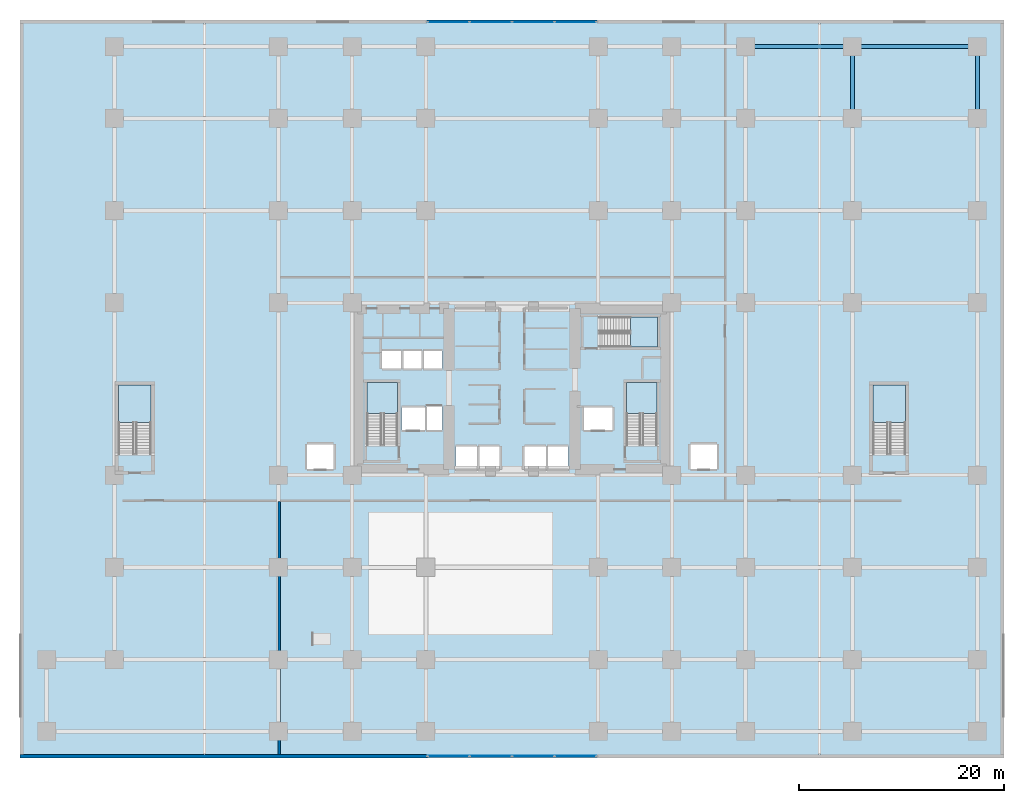
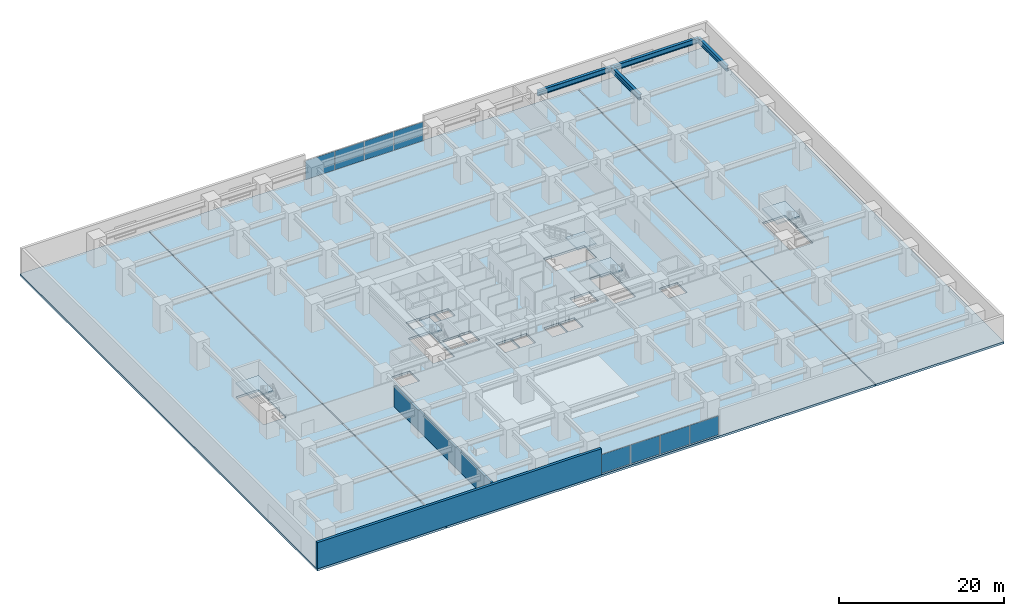
# One storey, part 9 of 22: 8 plates, 8 slabs, 4 beams, 2 walls, 7 elements without a shape of their own.
"""IFC4 building model written with IfcOpenShell, lengths in metres."""

from ifc_helpers import new_model, si_unit, direction, frame, frame_2d, origin, origin_2d, place, context, subcontext, project, spatial, polyline, rectangle, i_section, outline, extrude, material, layer, layer_set, material_profile, profile_set, type_object, element, aggregate, save


model = new_model("IFC4")

# Units and contexts
model_context = context("Model", 3, precision=1e-05, world=origin(), true_north=direction((0.0, 1.0)))
body_context = subcontext(model_context, "Body", "Model", "MODEL_VIEW")
ifc_project = project(units=[si_unit("LENGTHUNIT", "METRE"), si_unit("AREAUNIT", "SQUARE_METRE"), si_unit("VOLUMEUNIT", "CUBIC_METRE"), si_unit("PLANEANGLEUNIT", "RADIAN"), si_unit("MASSUNIT", "GRAM", prefix="KILO")], contexts=[model_context])

# Site, building, storey
site_placement = place(None, origin())
site = spatial("IfcSite", under=ifc_project, at=site_placement, CompositionType="ELEMENT")
building_placement = place(site_placement, origin())
building = spatial("IfcBuilding", under=site, at=building_placement, Name="Kiyonajd Concourse Tower", CompositionType="ELEMENT")
storey_placement = place(building_placement, frame((0.0, 0.0, 4.5)))
storey = spatial("IfcBuildingStorey", under=building, at=storey_placement, Name="L02", CompositionType="ELEMENT", Elevation=4.5)

# Beams
ifc_material_1 = material(Name="Steel ASTM A992 Grade 50", Category="steel")
ifc_material_profile = material_profile(ifc_material_1, i_section(OverallWidth=0.381103515625, OverallDepth=0.77294921875, WebThickness=0.0166015625, FlangeThickness=0.027099609375, at=origin_2d()), Name="W760X257")
ifc_profile_set = profile_set([ifc_material_profile], Name="Steel ASTM A992 Grade 50")
beam_type = type_object("IfcBeamType", Name="BM-POD-760", PredefinedType="BEAM", material=ifc_profile_set)
beam_1_placement = place(storey_placement, frame((70.800048828125, 69.39990234375, 3.493408203125), z_axis=(1.0, 0.0, 0.0), x_axis=(0.0, 1.0, 0.0)))
element("IfcBeam", 1, at=beam_1_placement, inside=storey, type_object=beam_type, Name="L02 Podium Primary Beam", PredefinedType="BEAM", context=body_context, shape_type="SweptSolid", body=[
    extrude(i_section(OverallWidth=0.381103515625, OverallDepth=0.77294921875, WebThickness=0.0166015625, FlangeThickness=0.027099609375, at=origin_2d()), origin(), (0.0, 0.0, 1.0), 10.39990234375),
])
beam_2_placement = place(storey_placement, frame((81.199951171875, 69.39990234375, 3.493408203125), z_axis=(1.0, 0.0, 0.0), x_axis=(0.0, 1.0, 0.0)))
element("IfcBeam", 2, at=beam_2_placement, inside=storey, type_object=beam_type, Name="L02 Podium Primary Beam", PredefinedType="BEAM", context=body_context, shape_type="SweptSolid", body=[
    extrude(i_section(OverallWidth=0.381103515625, OverallDepth=0.77294921875, WebThickness=0.0166015625, FlangeThickness=0.027099609375, at=origin_2d()), origin(), (0.0, 0.0, 1.0), 12.199951171875),
])
for number, where, z_axis, x_axis, name in (
    (3, (81.199951171875, 62.39990234375, 3.493408203125), (0.0, 1.0, 0.0), (-1.0, 0.0, 0.0), "L02 Podium North South Beam"),
    (4, (93.39990234375, 62.39990234375, 3.493408203125), (0.0, 1.0, 0.0), (-1.0, 0.0, 0.0), "L02 Podium North South Beam"),
):
    element("IfcBeam", number, at=place(storey_placement, frame(where, z_axis=z_axis, x_axis=x_axis)), inside=storey, type_object=beam_type, Name=name, PredefinedType="BEAM", context=body_context, shape_type="SweptSolid", body=[
        extrude(i_section(OverallWidth=0.381103515625, OverallDepth=0.77294921875, WebThickness=0.0166015625, FlangeThickness=0.027099609375, at=origin_2d()), origin(), (0.0, 0.0, 1.0), 7.0),
    ])

# Curtain wall, plates
ifc_material_2 = material(Name="Thermally Broken Anodised Aluminium", Category="aluminium")
ifc_layer_1 = layer(ifc_material_2, 0.179931640625)
ifc_layer_set_1 = layer_set([ifc_layer_1], Name="Thermally Broken Anodised Aluminium")
curtain_wall_type = type_object("IfcCurtainWallType", Name="CW-SYS-01", PredefinedType="NOTDEFINED", material=ifc_layer_set_1)
curtain_wall_1_placement = place(storey_placement, origin())
curtain_wall_1 = element("IfcCurtainWall", 5, at=curtain_wall_1_placement, inside=storey, type_object=curtain_wall_type, Name="L02 Unitised Curtain Wall CW1", PredefinedType="NOTDEFINED")
ifc_material_3 = material(Name="Double Low-E Insulated Glass", Category="glass")
ifc_layer_2 = layer(ifc_material_3, 0.0400390625)
ifc_layer_set_2 = layer_set([ifc_layer_2], Name="Double Low-E Insulated Glass")
plate_type = type_object("IfcPlateType", Name="PL-CW-VIS40", PredefinedType="CURTAIN_PANEL", material=ifc_layer_set_2)
plate_1_placement = place(storey_placement, frame((41.808837890625, 71.820068359375, 0.0751953125), z_axis=(0.0, 0.0, 1.0), x_axis=(1.0, 0.0, 0.0)))
plate_1 = element("IfcPlate", 6, at=plate_1_placement, type_object=plate_type, Name="CW1 panel 1.1", PredefinedType="CURTAIN_PANEL", context=body_context, shape_type="SweptSolid", body=[
    extrude(rectangle(XDim=4.027587890625, YDim=0.0400390625, at=origin_2d()), origin(), (0.0, 0.0, 1.0), 2.780029296875),
])
plate_2_placement = place(storey_placement, frame((45.929931640625, 71.820068359375, 0.0751953125), z_axis=(0.0, 0.0, 1.0), x_axis=(1.0, 0.0, 0.0)))
plate_2 = element("IfcPlate", 7, at=plate_2_placement, type_object=plate_type, Name="CW1 panel 2.1", PredefinedType="CURTAIN_PANEL", context=body_context, shape_type="SweptSolid", body=[
    extrude(rectangle(XDim=4.06494140625, YDim=0.0400390625, at=origin_2d()), origin(), (0.0, 0.0, 1.0), 2.780029296875),
])
plate_3_placement = place(storey_placement, frame((50.070068359375, 71.820068359375, 0.0751953125), z_axis=(0.0, 0.0, 1.0), x_axis=(1.0, 0.0, 0.0)))
plate_3 = element("IfcPlate", 8, at=plate_3_placement, type_object=plate_type, Name="CW1 panel 3.1", PredefinedType="CURTAIN_PANEL", context=body_context, shape_type="SweptSolid", body=[
    extrude(rectangle(XDim=4.06494140625, YDim=0.0400390625, at=origin_2d()), origin(), (0.0, 0.0, 1.0), 2.780029296875),
])
plate_4_placement = place(storey_placement, frame((54.191162109375, 71.820068359375, 0.0751953125), z_axis=(0.0, 0.0, 1.0), x_axis=(1.0, 0.0, 0.0)))
plate_4 = element("IfcPlate", 9, at=plate_4_placement, type_object=plate_type, Name="CW1 panel 4.1", PredefinedType="CURTAIN_PANEL", context=body_context, shape_type="SweptSolid", body=[
    extrude(rectangle(XDim=4.027587890625, YDim=0.0400390625, at=origin_2d()), origin(), (0.0, 0.0, 1.0), 2.780029296875),
])
aggregate(curtain_wall_1, [plate_1, plate_2, plate_3, plate_4])

curtain_wall_2_placement = place(storey_placement, origin())
curtain_wall_2 = element("IfcCurtainWall", 10, at=curtain_wall_2_placement, inside=storey, type_object=curtain_wall_type, Name="L02 Unitised Curtain Wall CW1", PredefinedType="NOTDEFINED")
plate_5_placement = place(storey_placement, frame((54.191162109375, 0.179931640625, 0.0751953125), z_axis=(0.0, 0.0, 1.0), x_axis=(-1.0, 0.0, 0.0)))
plate_5 = element("IfcPlate", 11, at=plate_5_placement, type_object=plate_type, Name="CW1 panel 1.1", PredefinedType="CURTAIN_PANEL", context=body_context, shape_type="SweptSolid", body=[
    extrude(rectangle(XDim=4.027587890625, YDim=0.0400390625, at=origin_2d()), origin(), (0.0, 0.0, 1.0), 2.780029296875),
])
plate_6_placement = place(storey_placement, frame((50.070068359375, 0.179931640625, 0.0751953125), z_axis=(0.0, 0.0, 1.0), x_axis=(-1.0, 0.0, 0.0)))
plate_6 = element("IfcPlate", 12, at=plate_6_placement, type_object=plate_type, Name="CW1 panel 2.1", PredefinedType="CURTAIN_PANEL", context=body_context, shape_type="SweptSolid", body=[
    extrude(rectangle(XDim=4.06494140625, YDim=0.0400390625, at=origin_2d()), origin(), (0.0, 0.0, 1.0), 2.780029296875),
])
plate_7_placement = place(storey_placement, frame((45.929931640625, 0.179931640625, 0.0751953125), z_axis=(0.0, 0.0, 1.0), x_axis=(-1.0, 0.0, 0.0)))
plate_7 = element("IfcPlate", 13, at=plate_7_placement, type_object=plate_type, Name="CW1 panel 3.1", PredefinedType="CURTAIN_PANEL", context=body_context, shape_type="SweptSolid", body=[
    extrude(rectangle(XDim=4.06494140625, YDim=0.0400390625, at=origin_2d()), origin(), (0.0, 0.0, 1.0), 2.780029296875),
])
plate_8_placement = place(storey_placement, frame((41.808837890625, 0.179931640625, 0.0751953125), z_axis=(0.0, 0.0, 1.0), x_axis=(-1.0, 0.0, 0.0)))
plate_8 = element("IfcPlate", 14, at=plate_8_placement, type_object=plate_type, Name="CW1 panel 4.1", PredefinedType="CURTAIN_PANEL", context=body_context, shape_type="SweptSolid", body=[
    extrude(rectangle(XDim=4.027587890625, YDim=0.0400390625, at=origin_2d()), origin(), (0.0, 0.0, 1.0), 2.780029296875),
])
aggregate(curtain_wall_2, [plate_5, plate_6, plate_7, plate_8])

# Stair, slab
ifc_material_4 = material(Name="Concrete C40/50", Category="concrete")
stair_type_1 = type_object("IfcStairType", Name="ST-DLG-24R", PredefinedType="HALF_TURN_STAIR", material=ifc_material_4)
stair_1_placement = place(storey_placement, origin())
stair_1 = element("IfcStair", 15, at=stair_1_placement, inside=storey, type_object=stair_type_1, Name="L02 Protected Exit Stair ST1", PredefinedType="HALF_TURN_STAIR")
ifc_layer_3 = layer(ifc_material_4, 0.199951171875)
ifc_layer_set_3 = layer_set([ifc_layer_3], Name="Concrete C40/50")
slab_type_1 = type_object("IfcSlabType", Name="SL-LND-200", PredefinedType="LANDING", material=ifc_layer_set_3)
slab_1_placement = place(storey_placement, frame((0.0, 0.0, 1.89990234375)))
slab_1 = element("IfcSlab", 16, at=slab_1_placement, type_object=slab_type_1, Name="ST1 landing 1", PredefinedType="LANDING", context=body_context, shape_type="SweptSolid", body=[
    extrude(outline(polyline([(36.85009765625, 33.6298828125), (36.85009765625, 36.64990234375), (33.85009765625, 36.64990234375), (33.85009765625, 33.6298828125), (36.85009765625, 33.6298828125)])), origin(), (0.0, 0.0, 1.0), 0.2001953125),
])
aggregate(stair_1, [slab_1])

stair_2_placement = place(storey_placement, origin())
stair_2 = element("IfcStair", 17, at=stair_2_placement, inside=storey, type_object=stair_type_1, Name="L02 Protected Exit Stair ST2", PredefinedType="HALF_TURN_STAIR")
slab_2_placement = place(storey_placement, frame((0.0, 0.0, 1.89990234375)))
slab_2 = element("IfcSlab", 18, at=slab_2_placement, type_object=slab_type_1, Name="ST2 landing 1", PredefinedType="LANDING", context=body_context, shape_type="SweptSolid", body=[
    extrude(outline(polyline([(62.14990234375, 33.6298828125), (62.14990234375, 36.64990234375), (59.14990234375, 36.64990234375), (59.14990234375, 33.6298828125), (62.14990234375, 33.6298828125)])), origin(), (0.0, 0.0, 1.0), 0.2001953125),
])
aggregate(stair_2, [slab_2])

stair_3_placement = place(storey_placement, origin())
stair_3 = element("IfcStair", 19, at=stair_3_placement, inside=storey, type_object=stair_type_1, Name="L02 Protected Exit Stair ST3", PredefinedType="HALF_TURN_STAIR")
slab_3_placement = place(storey_placement, frame((0.0, 0.0, 1.89990234375)))
slab_3 = element("IfcSlab", 20, at=slab_3_placement, type_object=slab_type_1, Name="ST3 landing 1", PredefinedType="LANDING", context=body_context, shape_type="SweptSolid", body=[
    extrude(outline(polyline([(59.56005859375, 40.080078125), (62.179931640625, 40.080078125), (62.179931640625, 43.02001953125), (59.56005859375, 43.02001953125), (59.56005859375, 40.080078125)])), origin(), (0.0, 0.0, 1.0), 0.2001953125),
])
aggregate(stair_3, [slab_3])

stair_type_2 = type_object("IfcStairType", Name="ST-POD-1500", PredefinedType="HALF_TURN_STAIR", material=ifc_material_4)
stair_4_placement = place(storey_placement, origin())
stair_4 = element("IfcStair", 21, at=stair_4_placement, inside=storey, type_object=stair_type_2, Name="L02 West Podium Exit Stair ST4", PredefinedType="HALF_TURN_STAIR")
slab_4_placement = place(storey_placement, frame((0.0, 0.0, 1.89990234375)))
slab_4 = element("IfcSlab", 22, at=slab_4_placement, type_object=slab_type_1, Name="ST4 landing 1", PredefinedType="LANDING", context=body_context, shape_type="SweptSolid", body=[
    extrude(outline(polyline([(12.800048828125, 32.72998046875), (12.800048828125, 36.39990234375), (9.60009765625, 36.39990234375), (9.60009765625, 32.72998046875), (12.800048828125, 32.72998046875)])), origin(), (0.0, 0.0, 1.0), 0.2001953125),
])
aggregate(stair_4, [slab_4])

stair_5_placement = place(storey_placement, origin())
stair_5 = element("IfcStair", 23, at=stair_5_placement, inside=storey, type_object=stair_type_2, Name="L02 East Podium Exit Stair ST5", PredefinedType="HALF_TURN_STAIR")
slab_5_placement = place(storey_placement, frame((0.0, 0.0, 1.89990234375)))
slab_5 = element("IfcSlab", 24, at=slab_5_placement, type_object=slab_type_1, Name="ST5 landing 1", PredefinedType="LANDING", context=body_context, shape_type="SweptSolid", body=[
    extrude(outline(polyline([(86.39990234375, 32.72998046875), (86.39990234375, 36.39990234375), (83.199951171875, 36.39990234375), (83.199951171875, 32.72998046875), (86.39990234375, 32.72998046875)])), origin(), (0.0, 0.0, 1.0), 0.2001953125),
])
aggregate(stair_5, [slab_5])

# Slabs
ifc_layer_4 = layer(ifc_material_4, 0.320068359375)
ifc_layer_set_4 = layer_set([ifc_layer_4], Name="Concrete C40/50")
slab_type_2 = type_object("IfcSlabType", Name="SL-POD-320", PredefinedType="FLOOR", material=ifc_layer_set_4)
slab_6_placement = place(storey_placement, frame((0.0, 0.0, -0.320068359375)))
element("IfcSlab", 25, at=slab_6_placement, inside=storey, type_object=slab_type_2, Name="L02 West Wing Podium Structural Floor Slab", PredefinedType="FLOOR", context=body_context, shape_type="SweptSolid", body=[
    extrude(outline(polyline([(0.0, 0.0), (17.93994140625, 0.0), (17.93994140625, 72.0), (0.0, 72.0), (0.0, 0.0)]), holes=[polyline([(9.60009765625, 29.64990234375), (9.60009765625, 36.39990234375), (12.800048828125, 36.39990234375), (12.800048828125, 29.64990234375), (9.60009765625, 29.64990234375)])]), origin(), (0.0, 0.0, 1.0), 0.320068359375),
])
slab_7_placement = place(storey_placement, frame((0.0, 0.0, -0.320068359375)))
element("IfcSlab", 26, at=slab_7_placement, inside=storey, type_object=slab_type_2, Name="L02 Central Tower Zone Podium Structural Floor Slab", PredefinedType="FLOOR", context=body_context, shape_type="SweptSolid", body=[
    extrude(outline(polyline([(18.06005859375, 0.0), (77.93994140625, 0.0), (77.93994140625, 72.0), (18.06005859375, 72.0), (18.06005859375, 0.0)]), holes=[polyline([(42.5, 28.199951171875), (42.5, 30.39990234375), (44.60009765625, 30.39990234375), (44.60009765625, 28.199951171875), (42.5, 28.199951171875)]), polyline([(28.0, 28.199951171875), (28.0, 30.60009765625), (30.60009765625, 30.60009765625), (30.60009765625, 28.199951171875), (28.0, 28.199951171875)]), polyline([(37.199951171875, 32.0), (37.199951171875, 34.199951171875), (39.5, 34.199951171875), (39.5, 32.0), (37.199951171875, 32.0)]), polyline([(39.60009765625, 32.0), (39.60009765625, 34.300048828125), (41.199951171875, 34.300048828125), (41.199951171875, 32.0), (39.60009765625, 32.0)]), polyline([(33.85009765625, 30.550048828125), (33.85009765625, 36.64990234375), (36.85009765625, 36.64990234375), (36.85009765625, 30.550048828125), (33.85009765625, 30.550048828125)]), polyline([(35.300048828125, 38.0), (35.300048828125, 39.699951171875), (37.199951171875, 39.699951171875), (37.199951171875, 38.0), (35.300048828125, 38.0)]), polyline([(37.300048828125, 38.0), (37.300048828125, 39.699951171875), (39.199951171875, 39.699951171875), (39.199951171875, 38.0), (37.300048828125, 38.0)]), polyline([(39.300048828125, 38.0), (39.300048828125, 39.699951171875), (41.199951171875, 39.699951171875), (41.199951171875, 38.0), (39.300048828125, 38.0)]), polyline([(44.699951171875, 28.199951171875), (44.699951171875, 30.39990234375), (46.800048828125, 30.39990234375), (46.800048828125, 28.199951171875), (44.699951171875, 28.199951171875)]), polyline([(49.199951171875, 28.199951171875), (49.199951171875, 30.39990234375), (51.300048828125, 30.39990234375), (51.300048828125, 28.199951171875), (49.199951171875, 28.199951171875)]), polyline([(51.39990234375, 28.199951171875), (51.39990234375, 30.39990234375), (53.5, 30.39990234375), (53.5, 28.199951171875), (51.39990234375, 28.199951171875)]), polyline([(65.39990234375, 28.199951171875), (65.39990234375, 30.60009765625), (68.0, 30.60009765625), (68.0, 28.199951171875), (65.39990234375, 28.199951171875)]), polyline([(55.0, 32.0), (55.0, 34.199951171875), (57.800048828125, 34.199951171875), (57.800048828125, 32.0), (55.0, 32.0)]), polyline([(59.14990234375, 36.64990234375), (62.14990234375, 36.64990234375), (62.14990234375, 30.550048828125), (59.14990234375, 30.550048828125), (59.14990234375, 36.64990234375)]), polyline([(62.179931640625, 43.02001953125), (62.179931640625, 40.080078125), (56.47998046875, 40.080078125), (56.47998046875, 43.02001953125), (62.179931640625, 43.02001953125)])]), origin(), (0.0, 0.0, 1.0), 0.320068359375),
])
slab_8_placement = place(storey_placement, frame((0.0, 0.0, -0.320068359375)))
element("IfcSlab", 27, at=slab_8_placement, inside=storey, type_object=slab_type_2, Name="L02 East Wing Podium Structural Floor Slab", PredefinedType="FLOOR", context=body_context, shape_type="SweptSolid", body=[
    extrude(outline(polyline([(78.06005859375, 0.0), (96.0, 0.0), (96.0, 72.0), (78.06005859375, 72.0), (78.06005859375, 0.0)]), holes=[polyline([(83.199951171875, 29.64990234375), (83.199951171875, 36.39990234375), (86.39990234375, 36.39990234375), (86.39990234375, 29.64990234375), (83.199951171875, 29.64990234375)])]), origin(), (0.0, 0.0, 1.0), 0.320068359375),
])

# Walls
ifc_material_5 = material(Name="Precast concrete C50/60", Category="concrete")
ifc_layer_5 = layer(ifc_material_5, 0.360107421875)
ifc_layer_set_5 = layer_set([ifc_layer_5], Name="Precast concrete C50/60")
wall_type_1 = type_object("IfcWallType", Name="WL-EXT-360", PredefinedType="SOLIDWALL", material=ifc_layer_set_5)
wall_1_placement = place(storey_placement, frame((39.719970703125, 0.179931640625, 0.0), z_axis=(0.0, 0.0, 1.0), x_axis=(-1.0, 0.0, 0.0)))
element("IfcWall", 28, at=wall_1_placement, inside=storey, type_object=wall_type_1, Name="L02 South West Podium Facade Wall", PredefinedType="SOLIDWALL", context=body_context, shape_type="SweptSolid", body=[
    extrude(rectangle(XDim=39.719970703125, YDim=0.360107421875, at=frame_2d((19.85986328125, 0.0))), origin(), (0.0, 0.0, 1.0), 3.8798828125),
])
ifc_material_6 = material(Name="Gypsum Board on Cold-Formed Steel Stud", Category="steel")
ifc_layer_6 = layer(ifc_material_6, 0.22998046875)
ifc_layer_set_6 = layer_set([ifc_layer_6], Name="Gypsum Board on Cold-Formed Steel Stud")
wall_type_2 = type_object("IfcWallType", Name="WL-FIRE-230", PredefinedType="PARTITIONING", material=ifc_layer_set_6)
wall_2_placement = place(storey_placement, frame((25.300048828125, 0.35498046875, 0.0), z_axis=(0.0, 0.0, 1.0), x_axis=(0.0, 1.0, 0.0)))
element("IfcWall", 29, at=wall_2_placement, inside=storey, type_object=wall_type_2, Name="L02 Interior Partition Wall", PredefinedType="PARTITIONING", context=body_context, shape_type="SweptSolid", body=[
    extrude(rectangle(XDim=24.657958984375, YDim=0.22998046875, at=frame_2d((12.3291015625, 0.0))), origin(), (0.0, 0.0, 1.0), 3.092041015625),
])

save(model, "model.ifc")
